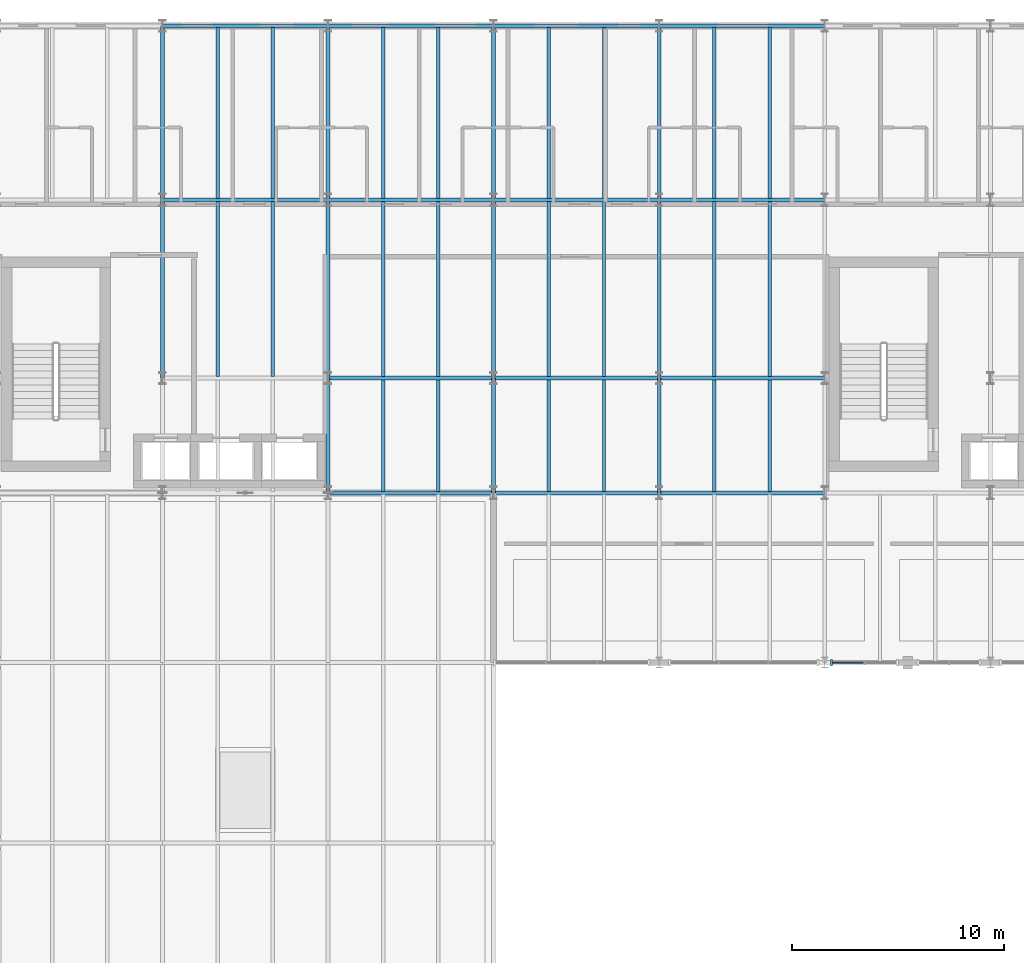
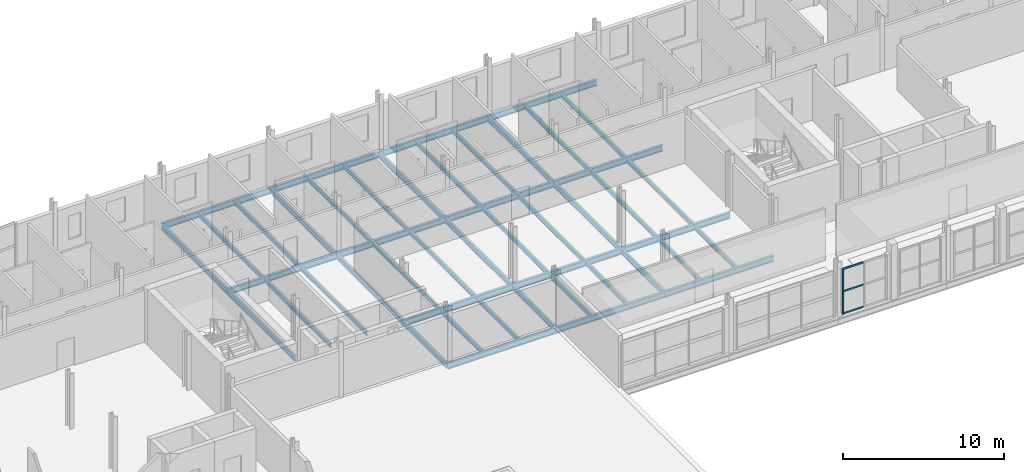
# One storey, part 23 of 58: 47 beams, 4 members, 1 element without a shape of its own.
"""IFC4 building model written with IfcOpenShell, lengths in metres."""

from ifc_helpers import new_model, si_unit, direction, frame, origin, origin_2d, place, context, subcontext, project, spatial, rectangle, i_section, extrude, material, layer, layer_set, material_profile, profile_set, type_object, element, aggregate, save


model = new_model("IFC4")

# Units and contexts
model_context = context("Model", 3, precision=1e-05, world=origin(), true_north=direction((0.0, 1.0)))
body_context = subcontext(model_context, "Body", "Model", "MODEL_VIEW")
ifc_project = project(units=[si_unit("LENGTHUNIT", "METRE"), si_unit("AREAUNIT", "SQUARE_METRE"), si_unit("VOLUMEUNIT", "CUBIC_METRE"), si_unit("PLANEANGLEUNIT", "RADIAN"), si_unit("MASSUNIT", "GRAM", prefix="KILO")], contexts=[model_context])

# Site, building, storey
site_placement = place(None, origin())
site = spatial("IfcSite", under=ifc_project, at=site_placement, CompositionType="ELEMENT")
building_placement = place(site_placement, origin())
building = spatial("IfcBuilding", under=site, at=building_placement, Name="Sefraquen Railside Congress Hotel", CompositionType="ELEMENT")
storey_placement = place(building_placement, frame((0.0, 0.0, 16.199951171875)))
storey = spatial("IfcBuildingStorey", under=building, at=storey_placement, Name="L03", CompositionType="ELEMENT", Elevation=16.199951171875)

# Beams
ifc_material_1 = material(Name="Steel S355JR", Category="steel")
ifc_material_profile_1 = material_profile(ifc_material_1, i_section(OverallWidth=0.179931640625, OverallDepth=0.39990234375, WebThickness=0.008544921875, FlangeThickness=0.013427734375, FilletRadius=0.02099609375, at=origin_2d()), Name="IPE 400")
ifc_profile_set_1 = profile_set([ifc_material_profile_1], Name="Steel S355JR")
beam_type_1 = type_object("IfcBeamType", Name="TB-BM-400I", PredefinedType="BEAM", material=ifc_profile_set_1)
beam_1_placement = place(storey_placement, frame((33.0, 101.39990234375, -0.47998046875), z_axis=(0.0, 1.0, 0.0), x_axis=(-1.0, 0.0, 0.0)))
element("IfcBeam", 1, at=beam_1_placement, inside=storey, type_object=beam_type_1, Name="Floor beam BM-L03-1162", PredefinedType="BEAM", context=body_context, shape_type="SweptSolid", body=[
    extrude(i_section(OverallWidth=0.179931640625, OverallDepth=0.39990234375, WebThickness=0.008544921875, FlangeThickness=0.013427734375, FilletRadius=0.02099609375, at=origin_2d()), origin(), (0.0, 0.0, 1.0), 8.400146484375),
])
beam_2_placement = place(storey_placement, frame((33.0, 109.800048828125, -0.47998046875), z_axis=(0.0, 1.0, 0.0), x_axis=(-1.0, 0.0, 0.0)))
element("IfcBeam", 2, at=beam_2_placement, inside=storey, type_object=beam_type_1, Name="Floor beam BM-L03-1163", PredefinedType="BEAM", context=body_context, shape_type="SweptSolid", body=[
    extrude(i_section(OverallWidth=0.179931640625, OverallDepth=0.39990234375, WebThickness=0.008544921875, FlangeThickness=0.013427734375, FilletRadius=0.02099609375, at=origin_2d()), origin(), (0.0, 0.0, 1.0), 8.199951171875),
])
beam_3_placement = place(storey_placement, frame((40.800048828125, 96.0, -0.47998046875), z_axis=(0.0, 1.0, 0.0), x_axis=(-1.0, 0.0, 0.0)))
element("IfcBeam", 3, at=beam_3_placement, inside=storey, type_object=beam_type_1, Name="Floor beam BM-L03-1173", PredefinedType="BEAM", context=body_context, shape_type="SweptSolid", body=[
    extrude(i_section(OverallWidth=0.179931640625, OverallDepth=0.39990234375, WebThickness=0.008544921875, FlangeThickness=0.013427734375, FilletRadius=0.02099609375, at=origin_2d()), origin(), (0.0, 0.0, 1.0), 5.39990234375),
])
beam_4_placement = place(storey_placement, frame((40.800048828125, 101.39990234375, -0.47998046875), z_axis=(0.0, 1.0, 0.0), x_axis=(-1.0, 0.0, 0.0)))
element("IfcBeam", 4, at=beam_4_placement, inside=storey, type_object=beam_type_1, Name="Floor beam BM-L03-1174", PredefinedType="BEAM", context=body_context, shape_type="SweptSolid", body=[
    extrude(i_section(OverallWidth=0.179931640625, OverallDepth=0.39990234375, WebThickness=0.008544921875, FlangeThickness=0.013427734375, FilletRadius=0.02099609375, at=origin_2d()), origin(), (0.0, 0.0, 1.0), 8.400146484375),
])
beam_5_placement = place(storey_placement, frame((40.800048828125, 109.800048828125, -0.47998046875), z_axis=(0.0, 1.0, 0.0), x_axis=(-1.0, 0.0, 0.0)))
element("IfcBeam", 5, at=beam_5_placement, inside=storey, type_object=beam_type_1, Name="Floor beam BM-L03-1175", PredefinedType="BEAM", context=body_context, shape_type="SweptSolid", body=[
    extrude(i_section(OverallWidth=0.179931640625, OverallDepth=0.39990234375, WebThickness=0.008544921875, FlangeThickness=0.013427734375, FilletRadius=0.02099609375, at=origin_2d()), origin(), (0.0, 0.0, 1.0), 8.199951171875),
])
beam_6_placement = place(storey_placement, frame((48.60009765625, 96.0, -0.47998046875), z_axis=(0.0, 1.0, 0.0), x_axis=(-1.0, 0.0, 0.0)))
element("IfcBeam", 6, at=beam_6_placement, inside=storey, type_object=beam_type_1, Name="Floor beam BM-L03-1182", PredefinedType="BEAM", context=body_context, shape_type="SweptSolid", body=[
    extrude(i_section(OverallWidth=0.179931640625, OverallDepth=0.39990234375, WebThickness=0.008544921875, FlangeThickness=0.013427734375, FilletRadius=0.02099609375, at=origin_2d()), origin(), (0.0, 0.0, 1.0), 5.39990234375),
])
beam_7_placement = place(storey_placement, frame((48.60009765625, 101.39990234375, -0.47998046875), z_axis=(0.0, 1.0, 0.0), x_axis=(-1.0, 0.0, 0.0)))
element("IfcBeam", 7, at=beam_7_placement, inside=storey, type_object=beam_type_1, Name="Floor beam BM-L03-1183", PredefinedType="BEAM", context=body_context, shape_type="SweptSolid", body=[
    extrude(i_section(OverallWidth=0.179931640625, OverallDepth=0.39990234375, WebThickness=0.008544921875, FlangeThickness=0.013427734375, FilletRadius=0.02099609375, at=origin_2d()), origin(), (0.0, 0.0, 1.0), 8.400146484375),
])
beam_8_placement = place(storey_placement, frame((48.60009765625, 109.800048828125, -0.47998046875), z_axis=(0.0, 1.0, 0.0), x_axis=(-1.0, 0.0, 0.0)))
element("IfcBeam", 8, at=beam_8_placement, inside=storey, type_object=beam_type_1, Name="Floor beam BM-L03-1184", PredefinedType="BEAM", context=body_context, shape_type="SweptSolid", body=[
    extrude(i_section(OverallWidth=0.179931640625, OverallDepth=0.39990234375, WebThickness=0.008544921875, FlangeThickness=0.013427734375, FilletRadius=0.02099609375, at=origin_2d()), origin(), (0.0, 0.0, 1.0), 8.199951171875),
])
beam_9_placement = place(storey_placement, frame((56.39990234375, 96.0, -0.47998046875), z_axis=(0.0, 1.0, 0.0), x_axis=(-1.0, 0.0, 0.0)))
element("IfcBeam", 9, at=beam_9_placement, inside=storey, type_object=beam_type_1, Name="Floor beam BM-L03-1186", PredefinedType="BEAM", context=body_context, shape_type="SweptSolid", body=[
    extrude(i_section(OverallWidth=0.179931640625, OverallDepth=0.39990234375, WebThickness=0.008544921875, FlangeThickness=0.013427734375, FilletRadius=0.02099609375, at=origin_2d()), origin(), (0.0, 0.0, 1.0), 5.39990234375),
])
beam_10_placement = place(storey_placement, frame((56.39990234375, 101.39990234375, -0.47998046875), z_axis=(0.0, 1.0, 0.0), x_axis=(-1.0, 0.0, 0.0)))
element("IfcBeam", 10, at=beam_10_placement, inside=storey, type_object=beam_type_1, Name="Floor beam BM-L03-1187", PredefinedType="BEAM", context=body_context, shape_type="SweptSolid", body=[
    extrude(i_section(OverallWidth=0.179931640625, OverallDepth=0.39990234375, WebThickness=0.008544921875, FlangeThickness=0.013427734375, FilletRadius=0.02099609375, at=origin_2d()), origin(), (0.0, 0.0, 1.0), 8.400146484375),
])
beam_11_placement = place(storey_placement, frame((56.39990234375, 109.800048828125, -0.47998046875), z_axis=(0.0, 1.0, 0.0), x_axis=(-1.0, 0.0, 0.0)))
element("IfcBeam", 11, at=beam_11_placement, inside=storey, type_object=beam_type_1, Name="Floor beam BM-L03-1188", PredefinedType="BEAM", context=body_context, shape_type="SweptSolid", body=[
    extrude(i_section(OverallWidth=0.179931640625, OverallDepth=0.39990234375, WebThickness=0.008544921875, FlangeThickness=0.013427734375, FilletRadius=0.02099609375, at=origin_2d()), origin(), (0.0, 0.0, 1.0), 8.199951171875),
])
ifc_material_profile_2 = material_profile(ifc_material_1, i_section(OverallWidth=0.18994140625, OverallDepth=0.449951171875, WebThickness=0.009521484375, FlangeThickness=0.0146484375, FilletRadius=0.02099609375, at=origin_2d()), Name="IPE 450")
ifc_profile_set_2 = profile_set([ifc_material_profile_2], Name="Steel S355JR")
beam_type_2 = type_object("IfcBeamType", Name="TB-BM-450", PredefinedType="BEAM", material=ifc_profile_set_2)
beam_12_placement = place(storey_placement, frame((40.800048828125, 96.0, -0.5048828125), z_axis=(1.0, 0.0, 0.0), x_axis=(0.0, 1.0, 0.0)))
element("IfcBeam", 12, at=beam_12_placement, inside=storey, type_object=beam_type_2, Name="Primary girder BM-L03-1075", PredefinedType="BEAM", context=body_context, shape_type="SweptSolid", body=[
    extrude(i_section(OverallWidth=0.18994140625, OverallDepth=0.449951171875, WebThickness=0.009521484375, FlangeThickness=0.0146484375, FilletRadius=0.02099609375, at=origin_2d()), origin(), (0.0, 0.0, 1.0), 7.800048828125),
])
beam_13_placement = place(storey_placement, frame((48.60009765625, 96.0, -0.5048828125), z_axis=(1.0, 0.0, 0.0), x_axis=(0.0, 1.0, 0.0)))
element("IfcBeam", 13, at=beam_13_placement, inside=storey, type_object=beam_type_2, Name="Primary girder BM-L03-1076", PredefinedType="BEAM", context=body_context, shape_type="SweptSolid", body=[
    extrude(i_section(OverallWidth=0.18994140625, OverallDepth=0.449951171875, WebThickness=0.009521484375, FlangeThickness=0.0146484375, FilletRadius=0.02099609375, at=origin_2d()), origin(), (0.0, 0.0, 1.0), 7.7998046875),
])
for number, where, z_axis, x_axis, name in (
    (14, (56.39990234375, 96.0, -0.5048828125), (1.0, 0.0, 0.0), (0.0, 1.0, 0.0), "Primary girder BM-L03-1077"),
    (15, (40.800048828125, 101.39990234375, -0.5048828125), (1.0, 0.0, 0.0), (0.0, 1.0, 0.0), "Primary girder BM-L03-1094"),
):
    element("IfcBeam", number, at=place(storey_placement, frame(where, z_axis=z_axis, x_axis=x_axis)), inside=storey, type_object=beam_type_2, Name=name, PredefinedType="BEAM", context=body_context, shape_type="SweptSolid", body=[
        extrude(i_section(OverallWidth=0.18994140625, OverallDepth=0.449951171875, WebThickness=0.009521484375, FlangeThickness=0.0146484375, FilletRadius=0.02099609375, at=origin_2d()), origin(), (0.0, 0.0, 1.0), 7.800048828125),
    ])
beam_14_placement = place(storey_placement, frame((48.60009765625, 101.39990234375, -0.5048828125), z_axis=(1.0, 0.0, 0.0), x_axis=(0.0, 1.0, 0.0)))
element("IfcBeam", 16, at=beam_14_placement, inside=storey, type_object=beam_type_2, Name="Primary girder BM-L03-1095", PredefinedType="BEAM", context=body_context, shape_type="SweptSolid", body=[
    extrude(i_section(OverallWidth=0.18994140625, OverallDepth=0.449951171875, WebThickness=0.009521484375, FlangeThickness=0.0146484375, FilletRadius=0.02099609375, at=origin_2d()), origin(), (0.0, 0.0, 1.0), 7.7998046875),
])
for number, where, z_axis, x_axis, name in (
    (17, (56.39990234375, 101.39990234375, -0.5048828125), (1.0, 0.0, 0.0), (0.0, 1.0, 0.0), "Primary girder BM-L03-1096"),
    (18, (33.0, 109.800048828125, -0.5048828125), (1.0, 0.0, 0.0), (0.0, 1.0, 0.0), "Primary girder BM-L03-1106"),
    (19, (40.800048828125, 109.800048828125, -0.5048828125), (1.0, 0.0, 0.0), (0.0, 1.0, 0.0), "Primary girder BM-L03-1107"),
):
    element("IfcBeam", number, at=place(storey_placement, frame(where, z_axis=z_axis, x_axis=x_axis)), inside=storey, type_object=beam_type_2, Name=name, PredefinedType="BEAM", context=body_context, shape_type="SweptSolid", body=[
        extrude(i_section(OverallWidth=0.18994140625, OverallDepth=0.449951171875, WebThickness=0.009521484375, FlangeThickness=0.0146484375, FilletRadius=0.02099609375, at=origin_2d()), origin(), (0.0, 0.0, 1.0), 7.800048828125),
    ])
beam_15_placement = place(storey_placement, frame((48.60009765625, 109.800048828125, -0.5048828125), z_axis=(1.0, 0.0, 0.0), x_axis=(0.0, 1.0, 0.0)))
element("IfcBeam", 20, at=beam_15_placement, inside=storey, type_object=beam_type_2, Name="Primary girder BM-L03-1108", PredefinedType="BEAM", context=body_context, shape_type="SweptSolid", body=[
    extrude(i_section(OverallWidth=0.18994140625, OverallDepth=0.449951171875, WebThickness=0.009521484375, FlangeThickness=0.0146484375, FilletRadius=0.02099609375, at=origin_2d()), origin(), (0.0, 0.0, 1.0), 7.7998046875),
])
for number, where, z_axis, x_axis, name in (
    (21, (56.39990234375, 109.800048828125, -0.5048828125), (1.0, 0.0, 0.0), (0.0, 1.0, 0.0), "Primary girder BM-L03-1109"),
    (22, (33.0, 118.0, -0.5048828125), (1.0, 0.0, 0.0), (0.0, 1.0, 0.0), "Primary girder BM-L03-1118"),
    (23, (40.800048828125, 118.0, -0.5048828125), (1.0, 0.0, 0.0), (0.0, 1.0, 0.0), "Primary girder BM-L03-1119"),
):
    element("IfcBeam", number, at=place(storey_placement, frame(where, z_axis=z_axis, x_axis=x_axis)), inside=storey, type_object=beam_type_2, Name=name, PredefinedType="BEAM", context=body_context, shape_type="SweptSolid", body=[
        extrude(i_section(OverallWidth=0.18994140625, OverallDepth=0.449951171875, WebThickness=0.009521484375, FlangeThickness=0.0146484375, FilletRadius=0.02099609375, at=origin_2d()), origin(), (0.0, 0.0, 1.0), 7.800048828125),
    ])
beam_16_placement = place(storey_placement, frame((48.60009765625, 118.0, -0.5048828125), z_axis=(1.0, 0.0, 0.0), x_axis=(0.0, 1.0, 0.0)))
element("IfcBeam", 24, at=beam_16_placement, inside=storey, type_object=beam_type_2, Name="Primary girder BM-L03-1120", PredefinedType="BEAM", context=body_context, shape_type="SweptSolid", body=[
    extrude(i_section(OverallWidth=0.18994140625, OverallDepth=0.449951171875, WebThickness=0.009521484375, FlangeThickness=0.0146484375, FilletRadius=0.02099609375, at=origin_2d()), origin(), (0.0, 0.0, 1.0), 7.7998046875),
])
beam_17_placement = place(storey_placement, frame((56.39990234375, 118.0, -0.5048828125), z_axis=(1.0, 0.0, 0.0), x_axis=(0.0, 1.0, 0.0)))
element("IfcBeam", 25, at=beam_17_placement, inside=storey, type_object=beam_type_2, Name="Primary girder BM-L03-1121", PredefinedType="BEAM", context=body_context, shape_type="SweptSolid", body=[
    extrude(i_section(OverallWidth=0.18994140625, OverallDepth=0.449951171875, WebThickness=0.009521484375, FlangeThickness=0.0146484375, FilletRadius=0.02099609375, at=origin_2d()), origin(), (0.0, 0.0, 1.0), 7.800048828125),
])
ifc_material_profile_3 = material_profile(ifc_material_1, i_section(OverallWidth=0.159912109375, OverallDepth=0.330078125, WebThickness=0.007568359375, FlangeThickness=0.011474609375, FilletRadius=0.01806640625, at=origin_2d()), Name="IPE 330")
ifc_profile_set_3 = profile_set([ifc_material_profile_3], Name="Steel S355JR")
beam_type_3 = type_object("IfcBeamType", Name="TB-JST-330", PredefinedType="JOIST", material=ifc_profile_set_3)
for number, where, z_axis, x_axis, name in (
    (26, (35.60009765625, 101.47509765625, -0.445068359375), (0.0, 1.0, 0.0), (-1.0, 0.0, 0.0), "Composite floor joist BM-L03-J0708"),
    (27, (38.199951171875, 101.47509765625, -0.445068359375), (0.0, 1.0, 0.0), (-1.0, 0.0, 0.0), "Composite floor joist BM-L03-J0709"),
):
    element("IfcBeam", number, at=place(storey_placement, frame(where, z_axis=z_axis, x_axis=x_axis)), inside=storey, type_object=beam_type_3, Name=name, PredefinedType="JOIST", context=body_context, shape_type="SweptSolid", body=[
        extrude(i_section(OverallWidth=0.159912109375, OverallDepth=0.330078125, WebThickness=0.007568359375, FlangeThickness=0.011474609375, FilletRadius=0.01806640625, at=origin_2d()), origin(), (0.0, 0.0, 1.0), 8.25),
    ])
for number, where, z_axis, x_axis, name in (
    (28, (35.60009765625, 109.875, -0.445068359375), (0.0, 1.0, 0.0), (-1.0, 0.0, 0.0), "Composite floor joist BM-L03-J0710"),
    (29, (38.199951171875, 109.875, -0.445068359375), (0.0, 1.0, 0.0), (-1.0, 0.0, 0.0), "Composite floor joist BM-L03-J0711"),
):
    element("IfcBeam", number, at=place(storey_placement, frame(where, z_axis=z_axis, x_axis=x_axis)), inside=storey, type_object=beam_type_3, Name=name, PredefinedType="JOIST", context=body_context, shape_type="SweptSolid", body=[
        extrude(i_section(OverallWidth=0.159912109375, OverallDepth=0.330078125, WebThickness=0.007568359375, FlangeThickness=0.011474609375, FilletRadius=0.01806640625, at=origin_2d()), origin(), (0.0, 0.0, 1.0), 8.050048828125),
    ])
for number, where, z_axis, x_axis, name in (
    (30, (43.39990234375, 96.074951171875, -0.445068359375), (0.0, 1.0, 0.0), (-1.0, 0.0, 0.0), "Composite floor joist BM-L03-J0724"),
    (31, (46.0, 96.074951171875, -0.445068359375), (0.0, 1.0, 0.0), (-1.0, 0.0, 0.0), "Composite floor joist BM-L03-J0725"),
):
    element("IfcBeam", number, at=place(storey_placement, frame(where, z_axis=z_axis, x_axis=x_axis)), inside=storey, type_object=beam_type_3, Name=name, PredefinedType="JOIST", context=body_context, shape_type="SweptSolid", body=[
        extrude(i_section(OverallWidth=0.159912109375, OverallDepth=0.330078125, WebThickness=0.007568359375, FlangeThickness=0.011474609375, FilletRadius=0.01806640625, at=origin_2d()), origin(), (0.0, 0.0, 1.0), 5.25),
    ])
for number, where, z_axis, x_axis, name in (
    (32, (43.39990234375, 101.47509765625, -0.445068359375), (0.0, 1.0, 0.0), (-1.0, 0.0, 0.0), "Composite floor joist BM-L03-J0726"),
    (33, (46.0, 101.47509765625, -0.445068359375), (0.0, 1.0, 0.0), (-1.0, 0.0, 0.0), "Composite floor joist BM-L03-J0727"),
):
    element("IfcBeam", number, at=place(storey_placement, frame(where, z_axis=z_axis, x_axis=x_axis)), inside=storey, type_object=beam_type_3, Name=name, PredefinedType="JOIST", context=body_context, shape_type="SweptSolid", body=[
        extrude(i_section(OverallWidth=0.159912109375, OverallDepth=0.330078125, WebThickness=0.007568359375, FlangeThickness=0.011474609375, FilletRadius=0.01806640625, at=origin_2d()), origin(), (0.0, 0.0, 1.0), 8.25),
    ])
for number, where, z_axis, x_axis, name in (
    (34, (43.39990234375, 109.875, -0.445068359375), (0.0, 1.0, 0.0), (-1.0, 0.0, 0.0), "Composite floor joist BM-L03-J0728"),
    (35, (46.0, 109.875, -0.445068359375), (0.0, 1.0, 0.0), (-1.0, 0.0, 0.0), "Composite floor joist BM-L03-J0729"),
):
    element("IfcBeam", number, at=place(storey_placement, frame(where, z_axis=z_axis, x_axis=x_axis)), inside=storey, type_object=beam_type_3, Name=name, PredefinedType="JOIST", context=body_context, shape_type="SweptSolid", body=[
        extrude(i_section(OverallWidth=0.159912109375, OverallDepth=0.330078125, WebThickness=0.007568359375, FlangeThickness=0.011474609375, FilletRadius=0.01806640625, at=origin_2d()), origin(), (0.0, 0.0, 1.0), 8.050048828125),
    ])
for number, where, z_axis, x_axis, name in (
    (36, (51.199951171875, 96.074951171875, -0.445068359375), (0.0, 1.0, 0.0), (-1.0, 0.0, 0.0), "Composite floor joist BM-L03-J0732"),
    (37, (53.800048828125, 96.074951171875, -0.445068359375), (0.0, 1.0, 0.0), (-1.0, 0.0, 0.0), "Composite floor joist BM-L03-J0733"),
):
    element("IfcBeam", number, at=place(storey_placement, frame(where, z_axis=z_axis, x_axis=x_axis)), inside=storey, type_object=beam_type_3, Name=name, PredefinedType="JOIST", context=body_context, shape_type="SweptSolid", body=[
        extrude(i_section(OverallWidth=0.159912109375, OverallDepth=0.330078125, WebThickness=0.007568359375, FlangeThickness=0.011474609375, FilletRadius=0.01806640625, at=origin_2d()), origin(), (0.0, 0.0, 1.0), 5.25),
    ])
for number, where, z_axis, x_axis, name in (
    (38, (51.199951171875, 101.47509765625, -0.445068359375), (0.0, 1.0, 0.0), (-1.0, 0.0, 0.0), "Composite floor joist BM-L03-J0734"),
    (39, (53.800048828125, 101.47509765625, -0.445068359375), (0.0, 1.0, 0.0), (-1.0, 0.0, 0.0), "Composite floor joist BM-L03-J0735"),
):
    element("IfcBeam", number, at=place(storey_placement, frame(where, z_axis=z_axis, x_axis=x_axis)), inside=storey, type_object=beam_type_3, Name=name, PredefinedType="JOIST", context=body_context, shape_type="SweptSolid", body=[
        extrude(i_section(OverallWidth=0.159912109375, OverallDepth=0.330078125, WebThickness=0.007568359375, FlangeThickness=0.011474609375, FilletRadius=0.01806640625, at=origin_2d()), origin(), (0.0, 0.0, 1.0), 8.25),
    ])
for number, where, z_axis, x_axis, name in (
    (40, (51.199951171875, 109.875, -0.445068359375), (0.0, 1.0, 0.0), (-1.0, 0.0, 0.0), "Composite floor joist BM-L03-J0736"),
    (41, (53.800048828125, 109.875, -0.445068359375), (0.0, 1.0, 0.0), (-1.0, 0.0, 0.0), "Composite floor joist BM-L03-J0737"),
):
    element("IfcBeam", number, at=place(storey_placement, frame(where, z_axis=z_axis, x_axis=x_axis)), inside=storey, type_object=beam_type_3, Name=name, PredefinedType="JOIST", context=body_context, shape_type="SweptSolid", body=[
        extrude(i_section(OverallWidth=0.159912109375, OverallDepth=0.330078125, WebThickness=0.007568359375, FlangeThickness=0.011474609375, FilletRadius=0.01806640625, at=origin_2d()), origin(), (0.0, 0.0, 1.0), 8.050048828125),
    ])
for number, where, z_axis, x_axis, name in (
    (42, (59.0, 96.074951171875, -0.445068359375), (0.0, 1.0, 0.0), (-1.0, 0.0, 0.0), "Composite floor joist BM-L03-J0740"),
    (43, (61.60009765625, 96.074951171875, -0.445068359375), (0.0, 1.0, 0.0), (-1.0, 0.0, 0.0), "Composite floor joist BM-L03-J0741"),
):
    element("IfcBeam", number, at=place(storey_placement, frame(where, z_axis=z_axis, x_axis=x_axis)), inside=storey, type_object=beam_type_3, Name=name, PredefinedType="JOIST", context=body_context, shape_type="SweptSolid", body=[
        extrude(i_section(OverallWidth=0.159912109375, OverallDepth=0.330078125, WebThickness=0.007568359375, FlangeThickness=0.011474609375, FilletRadius=0.01806640625, at=origin_2d()), origin(), (0.0, 0.0, 1.0), 5.25),
    ])
for number, where, z_axis, x_axis, name in (
    (44, (59.0, 101.47509765625, -0.445068359375), (0.0, 1.0, 0.0), (-1.0, 0.0, 0.0), "Composite floor joist BM-L03-J0742"),
    (45, (61.60009765625, 101.47509765625, -0.445068359375), (0.0, 1.0, 0.0), (-1.0, 0.0, 0.0), "Composite floor joist BM-L03-J0743"),
):
    element("IfcBeam", number, at=place(storey_placement, frame(where, z_axis=z_axis, x_axis=x_axis)), inside=storey, type_object=beam_type_3, Name=name, PredefinedType="JOIST", context=body_context, shape_type="SweptSolid", body=[
        extrude(i_section(OverallWidth=0.159912109375, OverallDepth=0.330078125, WebThickness=0.007568359375, FlangeThickness=0.011474609375, FilletRadius=0.01806640625, at=origin_2d()), origin(), (0.0, 0.0, 1.0), 8.25),
    ])
for number, where, z_axis, x_axis, name in (
    (46, (59.0, 109.875, -0.445068359375), (0.0, 1.0, 0.0), (-1.0, 0.0, 0.0), "Composite floor joist BM-L03-J0744"),
    (47, (61.60009765625, 109.875, -0.445068359375), (0.0, 1.0, 0.0), (-1.0, 0.0, 0.0), "Composite floor joist BM-L03-J0745"),
):
    element("IfcBeam", number, at=place(storey_placement, frame(where, z_axis=z_axis, x_axis=x_axis)), inside=storey, type_object=beam_type_3, Name=name, PredefinedType="JOIST", context=body_context, shape_type="SweptSolid", body=[
        extrude(i_section(OverallWidth=0.159912109375, OverallDepth=0.330078125, WebThickness=0.007568359375, FlangeThickness=0.011474609375, FilletRadius=0.01806640625, at=origin_2d()), origin(), (0.0, 0.0, 1.0), 8.050048828125),
    ])

# Curtain wall, members
ifc_material_2 = material(Name="Thermally broken anodised aluminium and low-E double glazing", Category="aluminium")
ifc_layer = layer(ifc_material_2, 0.199951171875)
ifc_layer_set = layer_set([ifc_layer], Name="Thermally broken anodised aluminium and low-E double glazing")
curtain_wall_type = type_object("IfcCurtainWallType", Name="TCW-UCW-01", PredefinedType="USERDEFINED", material=ifc_layer_set)
curtain_wall_placement = place(storey_placement, origin())
curtain_wall = element("IfcCurtainWall", 48, at=curtain_wall_placement, inside=storey, type_object=curtain_wall_type, Name="Meeting Wing L03 courtyard north curtain wall 2", ObjectType="UNITISED CURTAIN WALL", PredefinedType="USERDEFINED")
ifc_material_3 = material(Name="Thermally broken anodised aluminium 6063-T6", Category="aluminium")
ifc_material_profile_4 = material_profile(ifc_material_3, rectangle(XDim=0.094970703125, YDim=0.300048828125, at=origin_2d()), Name="CWM 95x300")
ifc_profile_set_4 = profile_set([ifc_material_profile_4], Name="Thermally broken anodised aluminium 6063-T6")
member_type_1 = type_object("IfcMemberType", Name="TM-CWM-08", PredefinedType="MULLION", material=ifc_profile_set_4)
member_1_placement = place(storey_placement, frame((64.510009765625, 88.0, 0.0), z_axis=(0.0, 0.0, 1.0), x_axis=(1.0, 0.0, 0.0)))
member_1 = element("IfcMember", 49, at=member_1_placement, type_object=member_type_1, Name="CW-L03-065 mullion 1", PredefinedType="MULLION", context=body_context, shape_type="SweptSolid", body=[
    extrude(rectangle(XDim=0.094970703125, YDim=0.300048828125, at=origin_2d()), origin(), (0.0, 0.0, 1.0), 3.3701171875),
])
ifc_material_profile_5 = material_profile(ifc_material_3, rectangle(XDim=0.06005859375, YDim=0.1201171875, at=origin_2d()), Name="CWT 60x120")
ifc_profile_set_5 = profile_set([ifc_material_profile_5], Name="Thermally broken anodised aluminium 6063-T6")
member_type_2 = type_object("IfcMemberType", Name="TM-CWT-01", PredefinedType="USERDEFINED", material=ifc_profile_set_5)
member_2_placement = place(storey_placement, frame((64.554931640625, 88.0, 0.0), z_axis=(1.0, 0.0, 0.0), x_axis=(0.0, 1.0, 0.0)))
member_2 = element("IfcMember", 50, at=member_2_placement, type_object=member_type_2, Name="CW-L03-065 transom 1.1", ObjectType="TRANSOM", PredefinedType="USERDEFINED", context=body_context, shape_type="SweptSolid", body=[
    extrude(rectangle(XDim=0.06005859375, YDim=0.1201171875, at=origin_2d()), origin(), (0.0, 0.0, 1.0), 1.465087890625),
])
member_3_placement = place(storey_placement, frame((64.554931640625, 88.0, 1.68505859375), z_axis=(1.0, 0.0, 0.0), x_axis=(0.0, 1.0, 0.0)))
member_3 = element("IfcMember", 51, at=member_3_placement, type_object=member_type_2, Name="CW-L03-065 transom 2.1", ObjectType="TRANSOM", PredefinedType="USERDEFINED", context=body_context, shape_type="SweptSolid", body=[
    extrude(rectangle(XDim=0.06005859375, YDim=0.1201171875, at=origin_2d()), origin(), (0.0, 0.0, 1.0), 1.465087890625),
])
member_4_placement = place(storey_placement, frame((64.554931640625, 88.0, 3.3701171875), z_axis=(1.0, 0.0, 0.0), x_axis=(0.0, 1.0, 0.0)))
member_4 = element("IfcMember", 52, at=member_4_placement, type_object=member_type_2, Name="CW-L03-065 transom 3.1", ObjectType="TRANSOM", PredefinedType="USERDEFINED", context=body_context, shape_type="SweptSolid", body=[
    extrude(rectangle(XDim=0.06005859375, YDim=0.1201171875, at=origin_2d()), origin(), (0.0, 0.0, 1.0), 1.465087890625),
])
aggregate(curtain_wall, [member_1, member_2, member_3, member_4])

save(model, "model.ifc")
